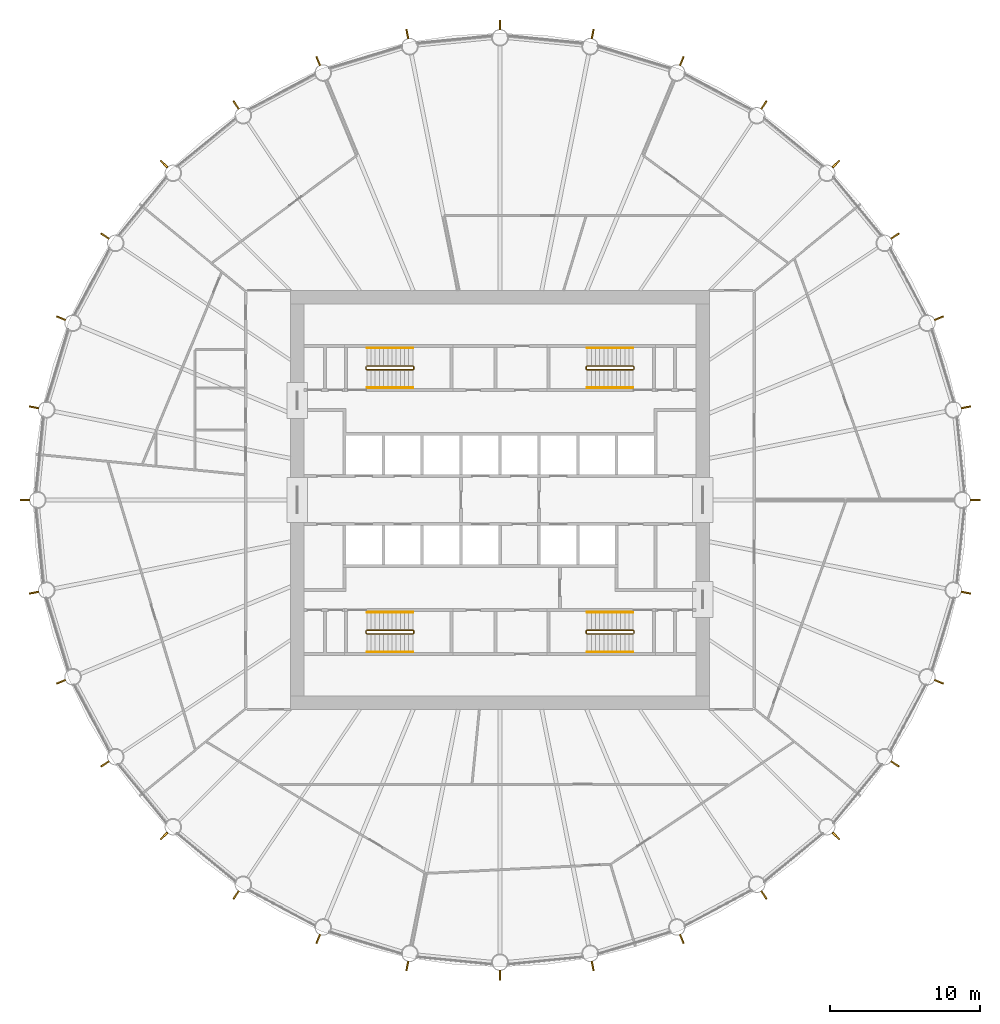
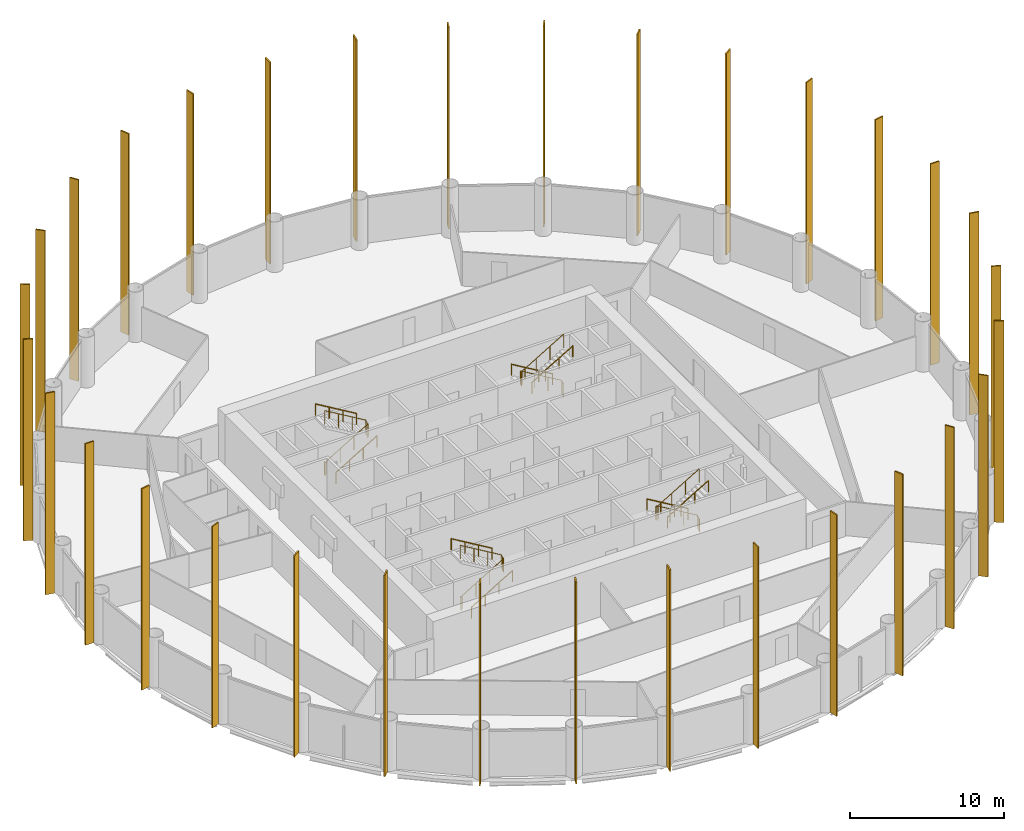
# One storey, part 9 of 9: 32 shading devices, 12 railings.
"""IFC4 building model written with IfcOpenShell, lengths in metres."""

import ifcopenshell
import ifcopenshell.guid

model = None  # the IFC model being written
_history = None  # IfcOwnerHistory: only IFC2X3 demands one
_inside = {}  # id of a spatial element -> (the spatial element, [elements in it])
_under = {}  # id of a project, library or spatial element -> (it, [spatial elements below it])
_declared = {}  # id of a project -> (the project, [libraries it declares])
_typed = {}  # id of a type object -> (the type object, [elements of that type])
_made_of = {}  # id of a material, layer set ... -> (it, [elements and type objects made of it])


def new_model(schema):
    """Start an empty IFC model of exactly this schema.

    Asked for "IFC4X3", IfcOpenShell would pick the latest addendum, in which some entities
    have other attributes; the version numbers below select the first issue.
    IFC2X3 requires an IfcOwnerHistory on every rooted entity: one is made here for all.
    """
    global model, _history
    if schema == "IFC4X3":
        model = ifcopenshell.file(schema_version=(4, 3, 0, 0))
    else:
        model = ifcopenshell.file(schema=schema)
    _inside.clear()
    _under.clear()
    _declared.clear()
    _typed.clear()
    _made_of.clear()
    _history = None
    if model.schema == "IFC2X3":
        org = make("IfcOrganization", Name="unknown")
        user = make(
            "IfcPersonAndOrganization",
            ThePerson=make("IfcPerson", FamilyName="unknown"),
            TheOrganization=org,
        )
        app = make(
            "IfcApplication",
            ApplicationDeveloper=org,
            Version="unknown",
            ApplicationFullName="unknown",
            ApplicationIdentifier="unknown",
        )
        _history = make(
            "IfcOwnerHistory",
            OwningUser=user,
            OwningApplication=app,
            ChangeAction="ADDED",
            CreationDate=0,
        )
    return model


def make(cls, **values):
    """One entity of the class cls with the attributes given. An attribute that is None is left unset."""
    return model.create_entity(
        cls, **{name: value for name, value in values.items() if value is not None}
    )


def rooted(cls, **values):
    """An entity with a GlobalId (a new one), such as an element, a storey or a relation."""
    return make(cls, GlobalId=ifcopenshell.guid.new(), OwnerHistory=_history, **values)


def si_unit(unit_type, name, prefix=None):
    """IfcSIUnit, for example si_unit("LENGTHUNIT", "METRE", prefix="MILLI")."""
    return make("IfcSIUnit", UnitType=unit_type, Prefix=prefix, Name=name)


def assignment(units):
    """IfcUnitAssignment: the units of a project."""
    return None if units is None else make("IfcUnitAssignment", Units=units)


def point(xyz):
    """IfcCartesianPoint."""
    return None if xyz is None else make("IfcCartesianPoint", Coordinates=xyz)


def direction(xyz):
    """IfcDirection."""
    return None if xyz is None else make("IfcDirection", DirectionRatios=xyz)


def frame(location, z_axis=None, x_axis=None):
    """IfcAxis2Placement3D, a coordinate frame: its origin and axes. An axis left out is left unset."""
    return make(
        "IfcAxis2Placement3D",
        Location=point(location),
        Axis=direction(z_axis),
        RefDirection=direction(x_axis),
    )


def frame_2d(location, x_axis=None):
    """IfcAxis2Placement2D, a coordinate frame in the plane: its origin and x axis."""
    return make(
        "IfcAxis2Placement2D", Location=point(location), RefDirection=direction(x_axis)
    )


def origin():
    """The frame at (0, 0, 0) with its axes left unset."""
    return frame((0.0, 0.0, 0.0))


def origin_2d():
    """The frame at (0, 0) in the plane with its x axis left unset."""
    return frame_2d((0.0, 0.0))


def place(relative_to, where):
    """IfcLocalPlacement: puts the frame where relative to a parent placement (None: the world)."""
    return make(
        "IfcLocalPlacement", PlacementRelTo=relative_to, RelativePlacement=where
    )


def context(
    kind, dimensions, precision=None, world=None, true_north=None, identifier=None
):
    """IfcGeometricRepresentationContext, for example the 3D "Model" context."""
    return make(
        "IfcGeometricRepresentationContext",
        ContextIdentifier=identifier,
        ContextType=kind,
        CoordinateSpaceDimension=dimensions,
        Precision=precision,
        WorldCoordinateSystem=world,
        TrueNorth=true_north,
    )


def subcontext(parent, identifier, kind, view, scale=None):
    """IfcGeometricRepresentationSubContext, for example "Body" below "Model"."""
    return make(
        "IfcGeometricRepresentationSubContext",
        ContextIdentifier=identifier,
        ContextType=kind,
        ParentContext=parent,
        TargetScale=scale,
        TargetView=view,
    )


def project(units=None, contexts=None):
    """IfcProject with its units and contexts."""
    return rooted(
        "IfcProject",
        Name="project",
        RepresentationContexts=contexts,
        UnitsInContext=assignment(units),
    )


def spatial(cls, under=None, at=None, **own):
    """A site, building, storey or space (cls), placed at a placement, below another one or the project."""
    s = rooted(cls, ObjectPlacement=at, **own)
    if under is not None:
        _under.setdefault(under.id(), (under, []))[1].append(s)
    return s


def profile(cls, at=None, kind="AREA", **sizes):
    """A parametric profile (cls). Its sizes go by their IFC names, for example OverallWidth=200.0."""
    return make(cls, ProfileType=kind, Position=at, **sizes)


def rectangle(**sizes):
    """IfcRectangleProfileDef."""
    return profile("IfcRectangleProfileDef", **sizes)


def circle(**sizes):
    """IfcCircleProfileDef."""
    return profile("IfcCircleProfileDef", **sizes)


def extrude(swept, where, along, depth):
    """IfcExtrudedAreaSolid: the profile swept, set in the frame where, extruded along a direction by depth."""
    return make(
        "IfcExtrudedAreaSolid",
        SweptArea=swept,
        Position=where,
        ExtrudedDirection=direction(along),
        Depth=depth,
    )


def shape(context_of_items, identifier, shape_type, items):
    """IfcShapeRepresentation: the items that make up one representation, for example the "Body"."""
    return make(
        "IfcShapeRepresentation",
        ContextOfItems=context_of_items,
        RepresentationIdentifier=identifier,
        RepresentationType=shape_type,
        Items=items,
    )


def material(Name=None, Category=None):
    """IfcMaterial."""
    return make("IfcMaterial", Name=Name, Category=Category)


def material_profile(
    of_material, cross_section, Name=None, Category=None, Priority=None
):
    """IfcMaterialProfile: a cross section and its material."""
    return make(
        "IfcMaterialProfile",
        Name=Name,
        Material=of_material,
        Profile=cross_section,
        Priority=Priority,
        Category=Category,
    )


def profile_set(profiles, Name=None, composite=None):
    """IfcMaterialProfileSet."""
    return make(
        "IfcMaterialProfileSet",
        Name=Name,
        MaterialProfiles=profiles,
        CompositeProfile=composite,
    )


def made_of(thing, what):
    """Note that an element or type object is made of a material, layer set ...; save() writes the relation."""
    if what is not None:
        _made_of.setdefault(what.id(), (what, []))[1].append(thing)
    return thing


def type_object(cls, material=None, **own):
    """A type object (cls), such as IfcWallType, which elements share."""
    return made_of(rooted(cls, **own), material)


def element(
    cls,
    number,
    at=None,
    inside=None,
    cuts=None,
    type_object=None,
    material=None,
    context=None,
    identifier="Body",
    shape_type=None,
    held_by="IfcProductDefinitionShape",
    body=None,
    shapes=None,
    **own,
):
    """One element of the class cls, such as IfcWall. Its Tag is "e" and its number.

    at: its placement. inside: the storey or other place that contains it. cuts: it is an
    opening in that element (IfcRelVoidsElement). A single representation is given by context,
    identifier, shape_type and body (its items); several are given by shapes. held_by: the class
    of the entity that holds the representations. save() writes the other relations.
    """
    e = rooted(cls, Tag="e%d" % number, ObjectPlacement=at, **own)
    if body is not None:
        shapes = [shape(context, identifier, shape_type, body)]
    if shapes is not None:
        e.Representation = make(held_by, Representations=shapes)
    if inside is not None:
        _inside.setdefault(inside.id(), (inside, []))[1].append(e)
    if cuts is not None:
        rooted(
            "IfcRelVoidsElement", RelatingBuildingElement=cuts, RelatedOpeningElement=e
        )
    if type_object is not None:
        _typed.setdefault(type_object.id(), (type_object, []))[1].append(e)
    return made_of(e, material)


def aggregate(whole, parts):
    """IfcRelAggregates: a whole, such as a stair, and the parts it consists of."""
    return rooted("IfcRelAggregates", RelatingObject=whole, RelatedObjects=parts)


def save(model, path):
    """Write the relations noted so far, then the file.

    IfcRelAggregates (storeys below a building ...), IfcRelContainedInSpatialStructure (elements
    in a storey), IfcRelDefinesByType, IfcRelAssociatesMaterial and IfcRelDeclares: one each for
    every whole, place, type object, material and project.
    """
    for whole, parts in _under.values():
        aggregate(whole, parts)
    for where, things in _inside.values():
        rooted(
            "IfcRelContainedInSpatialStructure",
            RelatedElements=things,
            RelatingStructure=where,
        )
    for kind, things in _typed.values():
        rooted("IfcRelDefinesByType", RelatedObjects=things, RelatingType=kind)
    for what, things in _made_of.values():
        rooted("IfcRelAssociatesMaterial", RelatedObjects=things, RelatingMaterial=what)
    for by, libraries in _declared.values():
        rooted("IfcRelDeclares", RelatingContext=by, RelatedDefinitions=libraries)
    model.write(path)


model = new_model("IFC4")

# Units and contexts
model_context = context("Model", 3, precision=1e-05, world=origin(), true_north=direction((0.0, 1.0)))
body_context = subcontext(model_context, "Body", "Model", "MODEL_VIEW")
ifc_project = project(units=[si_unit("LENGTHUNIT", "METRE"), si_unit("AREAUNIT", "SQUARE_METRE"), si_unit("VOLUMEUNIT", "CUBIC_METRE"), si_unit("PLANEANGLEUNIT", "RADIAN"), si_unit("MASSUNIT", "GRAM", prefix="KILO")], contexts=[model_context])

# Site, building, storey
site_placement = place(None, origin())
site = spatial("IfcSite", under=ifc_project, at=site_placement, CompositionType="ELEMENT")
building_placement = place(site_placement, origin())
building = spatial("IfcBuilding", under=site, at=building_placement, Name="Corvane Civic Tower", CompositionType="ELEMENT")
storey_placement = place(building_placement, frame((0.0, 0.0, 160.0)))
storey = spatial("IfcBuildingStorey", under=building, at=storey_placement, Name="L37", CompositionType="ELEMENT", Elevation=160.0)

# Railings
ifc_material_1 = material(Name="Steel ASTM A572 Gr 50", Category="steel")
railing_type_1 = type_object("IfcRailingType", Name="ST-GUARD-1100", PredefinedType="GUARDRAIL", material=ifc_material_1)
railing_1_placement = place(storey_placement, frame((8.949951171875, 8.75, 0.0)))
element("IfcRailing", 1, at=railing_1_placement, inside=storey, type_object=railing_type_1, Name="L37 ST1 stair guard 1", PredefinedType="GUARDRAIL", context=body_context, shape_type="SweptSolid", body=[
    extrude(circle(Radius=0.02392578125, at=origin_2d()), frame((0.0, 0.0, 1.076171875), z_axis=(0.0, 1.0, 0.0), x_axis=(-1.0, 0.0, 0.0)), (0.0, 0.0, 1.0), 0.14990234375),
    extrude(circle(Radius=0.02392578125, at=origin_2d()), frame((0.0, 0.14990234375, 1.076171875), z_axis=(-0.27628659633, 0.27628659633, 0.920506074601), x_axis=(-0.707106781187, -0.707106781187, 0.0)), (0.0, 0.0, 1.0), 0.18115234375),
    extrude(circle(Radius=0.02392578125, at=origin_2d()), frame((-0.050048828125, 0.199951171875, 1.24267578125), z_axis=(-0.859290745958, 0.0, 0.51148745235), x_axis=(0.0, -1.0, 0.0)), (0.0, 0.0, 1.0), 3.584228515625),
    extrude(circle(Radius=0.02392578125, at=origin_2d()), frame((-3.1298828125, 0.199951171875, 3.076171875), z_axis=(-0.707106781187, -0.707106781187, 0.0), x_axis=(0.707106781187, -0.707106781187, 0.0)), (0.0, 0.0, 1.0), 0.07080078125),
    extrude(circle(Radius=0.02392578125, at=origin_2d()), frame((-3.179931640625, 0.14990234375, 3.076171875), z_axis=(0.0, -1.0, 0.0), x_axis=(1.0, 0.0, 0.0)), (0.0, 0.0, 1.0), 0.14990234375),
    extrude(circle(Radius=0.02392578125, at=origin_2d()), frame((-3.179931640625, 0.0, 3.076171875), z_axis=(0.27628659633, -0.27628659633, 0.920506074601), x_axis=(0.707106781187, 0.707106781187, 0.0)), (0.0, 0.0, 1.0), 0.18115234375),
    extrude(circle(Radius=0.02392578125, at=origin_2d()), frame((-3.1298828125, -0.050048828125, 3.24267578125), z_axis=(0.859290745958, 0.0, 0.51148745235), x_axis=(0.0, 1.0, 0.0)), (0.0, 0.0, 1.0), 3.584228515625),
    extrude(circle(Radius=0.02099609375, at=origin_2d()), origin(), (0.0, 0.0, 1.0), 1.052001953125),
    extrude(circle(Radius=0.02099609375, at=origin_2d()), frame((0.0, 0.14990234375, 0.0)), (0.0, 0.0, 1.0), 1.052001953125),
    extrude(circle(Radius=0.02099609375, at=origin_2d()), frame((-0.050048828125, 0.199951171875, 0.166748046875)), (0.0, 0.0, 1.0), 1.052001953125),
    extrude(circle(Radius=0.02099609375, at=origin_2d()), frame((-1.07666015625, 0.199951171875, 0.77783203125)), (0.0, 0.0, 1.0), 1.052001953125),
    extrude(circle(Radius=0.02099609375, at=origin_2d()), frame((-2.103271484375, 0.199951171875, 1.388916015625)), (0.0, 0.0, 1.0), 1.052001953125),
    extrude(circle(Radius=0.02099609375, at=origin_2d()), frame((-3.1298828125, 0.199951171875, 2.0)), (0.0, 0.0, 1.0), 1.052001953125),
    extrude(circle(Radius=0.02099609375, at=origin_2d()), frame((-3.179931640625, 0.14990234375, 2.0)), (0.0, 0.0, 1.0), 1.052001953125),
    extrude(circle(Radius=0.02099609375, at=origin_2d()), frame((-3.179931640625, 0.0, 2.0)), (0.0, 0.0, 1.0), 1.052001953125),
    extrude(circle(Radius=0.02099609375, at=origin_2d()), frame((-3.1298828125, -0.050048828125, 2.166748046875)), (0.0, 0.0, 1.0), 1.052001953125),
    extrude(circle(Radius=0.02099609375, at=origin_2d()), frame((-2.103271484375, -0.050048828125, 2.77783203125)), (0.0, 0.0, 1.0), 1.052001953125),
    extrude(circle(Radius=0.02099609375, at=origin_2d()), frame((-1.07666015625, -0.050048828125, 3.388916015625)), (0.0, 0.0, 1.0), 1.052001953125),
    extrude(circle(Radius=0.02099609375, at=origin_2d()), frame((-0.050048828125, -0.050048828125, 4.0)), (0.0, 0.0, 1.0), 1.052001953125),
])
railing_2_placement = place(storey_placement, frame((8.949951171875, -8.89990234375, 0.0)))
element("IfcRailing", 2, at=railing_2_placement, inside=storey, type_object=railing_type_1, Name="L37 ST2 stair guard 1", PredefinedType="GUARDRAIL", context=body_context, shape_type="SweptSolid", body=[
    extrude(circle(Radius=0.02392578125, at=origin_2d()), frame((0.0, 0.0, 1.076171875), z_axis=(0.0, 1.0, 0.0), x_axis=(-1.0, 0.0, 0.0)), (0.0, 0.0, 1.0), 0.14990234375),
    extrude(circle(Radius=0.02392578125, at=origin_2d()), frame((0.0, 0.14990234375, 1.076171875), z_axis=(-0.27628659633, 0.27628659633, 0.920506074601), x_axis=(-0.707106781187, -0.707106781187, 0.0)), (0.0, 0.0, 1.0), 0.18115234375),
    extrude(circle(Radius=0.02392578125, at=origin_2d()), frame((-0.050048828125, 0.199951171875, 1.24267578125), z_axis=(-0.859290745958, 0.0, 0.51148745235), x_axis=(0.0, -1.0, 0.0)), (0.0, 0.0, 1.0), 3.584228515625),
    extrude(circle(Radius=0.02392578125, at=origin_2d()), frame((-3.1298828125, 0.199951171875, 3.076171875), z_axis=(-0.707106781187, -0.707106781187, 0.0), x_axis=(0.707106781187, -0.707106781187, 0.0)), (0.0, 0.0, 1.0), 0.07080078125),
    extrude(circle(Radius=0.02392578125, at=origin_2d()), frame((-3.179931640625, 0.14990234375, 3.076171875), z_axis=(0.0, -1.0, 0.0), x_axis=(1.0, 0.0, 0.0)), (0.0, 0.0, 1.0), 0.14990234375),
    extrude(circle(Radius=0.02392578125, at=origin_2d()), frame((-3.179931640625, 0.0, 3.076171875), z_axis=(0.27628659633, -0.27628659633, 0.920506074601), x_axis=(0.707106781187, 0.707106781187, 0.0)), (0.0, 0.0, 1.0), 0.18115234375),
    extrude(circle(Radius=0.02392578125, at=origin_2d()), frame((-3.1298828125, -0.050048828125, 3.24267578125), z_axis=(0.859290745958, 0.0, 0.51148745235), x_axis=(0.0, 1.0, 0.0)), (0.0, 0.0, 1.0), 3.584228515625),
    extrude(circle(Radius=0.02099609375, at=origin_2d()), origin(), (0.0, 0.0, 1.0), 1.052001953125),
    extrude(circle(Radius=0.02099609375, at=origin_2d()), frame((0.0, 0.14990234375, 0.0)), (0.0, 0.0, 1.0), 1.052001953125),
    extrude(circle(Radius=0.02099609375, at=origin_2d()), frame((-0.050048828125, 0.199951171875, 0.166748046875)), (0.0, 0.0, 1.0), 1.052001953125),
    extrude(circle(Radius=0.02099609375, at=origin_2d()), frame((-1.07666015625, 0.199951171875, 0.77783203125)), (0.0, 0.0, 1.0), 1.052001953125),
    extrude(circle(Radius=0.02099609375, at=origin_2d()), frame((-2.103271484375, 0.199951171875, 1.388916015625)), (0.0, 0.0, 1.0), 1.052001953125),
    extrude(circle(Radius=0.02099609375, at=origin_2d()), frame((-3.1298828125, 0.199951171875, 2.0)), (0.0, 0.0, 1.0), 1.052001953125),
    extrude(circle(Radius=0.02099609375, at=origin_2d()), frame((-3.179931640625, 0.14990234375, 2.0)), (0.0, 0.0, 1.0), 1.052001953125),
    extrude(circle(Radius=0.02099609375, at=origin_2d()), frame((-3.179931640625, 0.0, 2.0)), (0.0, 0.0, 1.0), 1.052001953125),
    extrude(circle(Radius=0.02099609375, at=origin_2d()), frame((-3.1298828125, -0.050048828125, 2.166748046875)), (0.0, 0.0, 1.0), 1.052001953125),
    extrude(circle(Radius=0.02099609375, at=origin_2d()), frame((-2.103271484375, -0.050048828125, 2.77783203125)), (0.0, 0.0, 1.0), 1.052001953125),
    extrude(circle(Radius=0.02099609375, at=origin_2d()), frame((-1.07666015625, -0.050048828125, 3.388916015625)), (0.0, 0.0, 1.0), 1.052001953125),
    extrude(circle(Radius=0.02099609375, at=origin_2d()), frame((-0.050048828125, -0.050048828125, 4.0)), (0.0, 0.0, 1.0), 1.052001953125),
])
railing_3_placement = place(storey_placement, frame((-8.949951171875, -8.75, 0.0)))
element("IfcRailing", 3, at=railing_3_placement, inside=storey, type_object=railing_type_1, Name="L37 ST3 stair guard 1", PredefinedType="GUARDRAIL", context=body_context, shape_type="SweptSolid", body=[
    extrude(circle(Radius=0.02392578125, at=origin_2d()), frame((0.0, 0.0, 1.076171875), z_axis=(0.0, -1.0, 0.0), x_axis=(1.0, 0.0, 0.0)), (0.0, 0.0, 1.0), 0.14990234375),
    extrude(circle(Radius=0.02392578125, at=origin_2d()), frame((0.0, -0.14990234375, 1.076171875), z_axis=(0.27628659633, -0.27628659633, 0.920506074601), x_axis=(0.707106781187, 0.707106781187, 0.0)), (0.0, 0.0, 1.0), 0.18115234375),
    extrude(circle(Radius=0.02392578125, at=origin_2d()), frame((0.050048828125, -0.199951171875, 1.24267578125), z_axis=(0.859290745958, 0.0, 0.51148745235), x_axis=(0.0, 1.0, 0.0)), (0.0, 0.0, 1.0), 3.584228515625),
    extrude(circle(Radius=0.02392578125, at=origin_2d()), frame((3.1298828125, -0.199951171875, 3.076171875), z_axis=(0.707106781187, 0.707106781187, 0.0), x_axis=(-0.707106781187, 0.707106781187, 0.0)), (0.0, 0.0, 1.0), 0.07080078125),
    extrude(circle(Radius=0.02392578125, at=origin_2d()), frame((3.179931640625, -0.14990234375, 3.076171875), z_axis=(0.0, 1.0, 0.0), x_axis=(-1.0, 0.0, 0.0)), (0.0, 0.0, 1.0), 0.14990234375),
    extrude(circle(Radius=0.02392578125, at=origin_2d()), frame((3.179931640625, 0.0, 3.076171875), z_axis=(-0.27628659633, 0.27628659633, 0.920506074601), x_axis=(-0.707106781187, -0.707106781187, 0.0)), (0.0, 0.0, 1.0), 0.18115234375),
    extrude(circle(Radius=0.02392578125, at=origin_2d()), frame((3.1298828125, 0.050048828125, 3.24267578125), z_axis=(-0.859290745958, 0.0, 0.51148745235), x_axis=(0.0, -1.0, 0.0)), (0.0, 0.0, 1.0), 3.584228515625),
    extrude(circle(Radius=0.02099609375, at=origin_2d()), origin(), (0.0, 0.0, 1.0), 1.052001953125),
    extrude(circle(Radius=0.02099609375, at=origin_2d()), frame((0.0, -0.14990234375, 0.0)), (0.0, 0.0, 1.0), 1.052001953125),
    extrude(circle(Radius=0.02099609375, at=origin_2d()), frame((0.050048828125, -0.199951171875, 0.166748046875)), (0.0, 0.0, 1.0), 1.052001953125),
    extrude(circle(Radius=0.02099609375, at=origin_2d()), frame((1.07666015625, -0.199951171875, 0.77783203125)), (0.0, 0.0, 1.0), 1.052001953125),
    extrude(circle(Radius=0.02099609375, at=origin_2d()), frame((2.103271484375, -0.199951171875, 1.388916015625)), (0.0, 0.0, 1.0), 1.052001953125),
    extrude(circle(Radius=0.02099609375, at=origin_2d()), frame((3.1298828125, -0.199951171875, 2.0)), (0.0, 0.0, 1.0), 1.052001953125),
    extrude(circle(Radius=0.02099609375, at=origin_2d()), frame((3.179931640625, -0.14990234375, 2.0)), (0.0, 0.0, 1.0), 1.052001953125),
    extrude(circle(Radius=0.02099609375, at=origin_2d()), frame((3.179931640625, 0.0, 2.0)), (0.0, 0.0, 1.0), 1.052001953125),
    extrude(circle(Radius=0.02099609375, at=origin_2d()), frame((3.1298828125, 0.050048828125, 2.166748046875)), (0.0, 0.0, 1.0), 1.052001953125),
    extrude(circle(Radius=0.02099609375, at=origin_2d()), frame((2.103271484375, 0.050048828125, 2.77783203125)), (0.0, 0.0, 1.0), 1.052001953125),
    extrude(circle(Radius=0.02099609375, at=origin_2d()), frame((1.07666015625, 0.050048828125, 3.388916015625)), (0.0, 0.0, 1.0), 1.052001953125),
    extrude(circle(Radius=0.02099609375, at=origin_2d()), frame((0.050048828125, 0.050048828125, 4.0)), (0.0, 0.0, 1.0), 1.052001953125),
])
railing_4_placement = place(storey_placement, frame((-8.949951171875, 8.89990234375, 0.0)))
element("IfcRailing", 4, at=railing_4_placement, inside=storey, type_object=railing_type_1, Name="L37 ST4 stair guard 1", PredefinedType="GUARDRAIL", context=body_context, shape_type="SweptSolid", body=[
    extrude(circle(Radius=0.02392578125, at=origin_2d()), frame((0.0, 0.0, 1.076171875), z_axis=(0.0, -1.0, 0.0), x_axis=(1.0, 0.0, 0.0)), (0.0, 0.0, 1.0), 0.14990234375),
    extrude(circle(Radius=0.02392578125, at=origin_2d()), frame((0.0, -0.14990234375, 1.076171875), z_axis=(0.27628659633, -0.27628659633, 0.920506074601), x_axis=(0.707106781187, 0.707106781187, 0.0)), (0.0, 0.0, 1.0), 0.18115234375),
    extrude(circle(Radius=0.02392578125, at=origin_2d()), frame((0.050048828125, -0.199951171875, 1.24267578125), z_axis=(0.859290745958, 0.0, 0.51148745235), x_axis=(0.0, 1.0, 0.0)), (0.0, 0.0, 1.0), 3.584228515625),
    extrude(circle(Radius=0.02392578125, at=origin_2d()), frame((3.1298828125, -0.199951171875, 3.076171875), z_axis=(0.707106781187, 0.707106781187, 0.0), x_axis=(-0.707106781187, 0.707106781187, 0.0)), (0.0, 0.0, 1.0), 0.07080078125),
    extrude(circle(Radius=0.02392578125, at=origin_2d()), frame((3.179931640625, -0.14990234375, 3.076171875), z_axis=(0.0, 1.0, 0.0), x_axis=(-1.0, 0.0, 0.0)), (0.0, 0.0, 1.0), 0.14990234375),
    extrude(circle(Radius=0.02392578125, at=origin_2d()), frame((3.179931640625, 0.0, 3.076171875), z_axis=(-0.27628659633, 0.27628659633, 0.920506074601), x_axis=(-0.707106781187, -0.707106781187, 0.0)), (0.0, 0.0, 1.0), 0.18115234375),
    extrude(circle(Radius=0.02392578125, at=origin_2d()), frame((3.1298828125, 0.050048828125, 3.24267578125), z_axis=(-0.859290745958, 0.0, 0.51148745235), x_axis=(0.0, -1.0, 0.0)), (0.0, 0.0, 1.0), 3.584228515625),
    extrude(circle(Radius=0.02099609375, at=origin_2d()), origin(), (0.0, 0.0, 1.0), 1.052001953125),
    extrude(circle(Radius=0.02099609375, at=origin_2d()), frame((0.0, -0.14990234375, 0.0)), (0.0, 0.0, 1.0), 1.052001953125),
    extrude(circle(Radius=0.02099609375, at=origin_2d()), frame((0.050048828125, -0.199951171875, 0.166748046875)), (0.0, 0.0, 1.0), 1.052001953125),
    extrude(circle(Radius=0.02099609375, at=origin_2d()), frame((1.07666015625, -0.199951171875, 0.77783203125)), (0.0, 0.0, 1.0), 1.052001953125),
    extrude(circle(Radius=0.02099609375, at=origin_2d()), frame((2.103271484375, -0.199951171875, 1.388916015625)), (0.0, 0.0, 1.0), 1.052001953125),
    extrude(circle(Radius=0.02099609375, at=origin_2d()), frame((3.1298828125, -0.199951171875, 2.0)), (0.0, 0.0, 1.0), 1.052001953125),
    extrude(circle(Radius=0.02099609375, at=origin_2d()), frame((3.179931640625, -0.14990234375, 2.0)), (0.0, 0.0, 1.0), 1.052001953125),
    extrude(circle(Radius=0.02099609375, at=origin_2d()), frame((3.179931640625, 0.0, 2.0)), (0.0, 0.0, 1.0), 1.052001953125),
    extrude(circle(Radius=0.02099609375, at=origin_2d()), frame((3.1298828125, 0.050048828125, 2.166748046875)), (0.0, 0.0, 1.0), 1.052001953125),
    extrude(circle(Radius=0.02099609375, at=origin_2d()), frame((2.103271484375, 0.050048828125, 2.77783203125)), (0.0, 0.0, 1.0), 1.052001953125),
    extrude(circle(Radius=0.02099609375, at=origin_2d()), frame((1.07666015625, 0.050048828125, 3.388916015625)), (0.0, 0.0, 1.0), 1.052001953125),
    extrude(circle(Radius=0.02099609375, at=origin_2d()), frame((0.050048828125, 0.050048828125, 4.0)), (0.0, 0.0, 1.0), 1.052001953125),
])
ifc_material_2 = material(Name="Steel ASTM A572 Gr 50", Category="steel")
railing_type_2 = type_object("IfcRailingType", Name="ST-HANDRAIL-900", PredefinedType="HANDRAIL", material=ifc_material_2)
railing_5_placement = place(storey_placement, frame((8.89990234375, 10.14990234375, 0.166748046875)))
element("IfcRailing", 5, at=railing_5_placement, inside=storey, type_object=railing_type_2, Name="L37 ST1 stair handrail 1", PredefinedType="HANDRAIL", context=body_context, shape_type="SweptSolid", body=[
    extrude(circle(Radius=0.02392578125, at=origin_2d()), frame((0.0, 0.0, 0.8759765625), z_axis=(-0.859290745958, 0.0, 0.51148745235), x_axis=(0.0, -1.0, 0.0)), (0.0, 0.0, 1.0), 3.584228515625),
    extrude(circle(Radius=0.02099609375, at=origin_2d()), origin(), (0.0, 0.0, 1.0), 0.851806640625),
    extrude(circle(Radius=0.02099609375, at=origin_2d()), frame((-1.026611328125, 0.0, 0.611083984375)), (0.0, 0.0, 1.0), 0.851806640625),
    extrude(circle(Radius=0.02099609375, at=origin_2d()), frame((-2.05322265625, 0.0, 1.22216796875)), (0.0, 0.0, 1.0), 0.851806640625),
    extrude(circle(Radius=0.02099609375, at=origin_2d()), frame((-3.079833984375, 0.0, 1.833251953125)), (0.0, 0.0, 1.0), 0.851806640625),
])
railing_6_placement = place(storey_placement, frame((5.820068359375, 7.5, 2.166748046875)))
element("IfcRailing", 6, at=railing_6_placement, inside=storey, type_object=railing_type_2, Name="L37 ST1 stair handrail 2", PredefinedType="HANDRAIL", context=body_context, shape_type="SweptSolid", body=[
    extrude(circle(Radius=0.02392578125, at=origin_2d()), frame((0.0, 0.0, 0.8759765625), z_axis=(0.859290745958, 0.0, 0.51148745235), x_axis=(0.0, 1.0, 0.0)), (0.0, 0.0, 1.0), 3.584228515625),
    extrude(circle(Radius=0.02099609375, at=origin_2d()), origin(), (0.0, 0.0, 1.0), 0.851806640625),
    extrude(circle(Radius=0.02099609375, at=origin_2d()), frame((1.026611328125, 0.0, 0.611083984375)), (0.0, 0.0, 1.0), 0.851806640625),
    extrude(circle(Radius=0.02099609375, at=origin_2d()), frame((2.05322265625, 0.0, 1.22216796875)), (0.0, 0.0, 1.0), 0.851806640625),
    extrude(circle(Radius=0.02099609375, at=origin_2d()), frame((3.079833984375, 0.0, 1.833251953125)), (0.0, 0.0, 1.0), 0.851806640625),
])
railing_7_placement = place(storey_placement, frame((8.89990234375, -7.5, 0.166748046875)))
element("IfcRailing", 7, at=railing_7_placement, inside=storey, type_object=railing_type_2, Name="L37 ST2 stair handrail 1", PredefinedType="HANDRAIL", context=body_context, shape_type="SweptSolid", body=[
    extrude(circle(Radius=0.02392578125, at=origin_2d()), frame((0.0, 0.0, 0.8759765625), z_axis=(-0.859290745958, 0.0, 0.51148745235), x_axis=(0.0, -1.0, 0.0)), (0.0, 0.0, 1.0), 3.584228515625),
    extrude(circle(Radius=0.02099609375, at=origin_2d()), origin(), (0.0, 0.0, 1.0), 0.851806640625),
    extrude(circle(Radius=0.02099609375, at=origin_2d()), frame((-1.026611328125, 0.0, 0.611083984375)), (0.0, 0.0, 1.0), 0.851806640625),
    extrude(circle(Radius=0.02099609375, at=origin_2d()), frame((-2.05322265625, 0.0, 1.22216796875)), (0.0, 0.0, 1.0), 0.851806640625),
    extrude(circle(Radius=0.02099609375, at=origin_2d()), frame((-3.079833984375, 0.0, 1.833251953125)), (0.0, 0.0, 1.0), 0.851806640625),
])
for number, where, name in (
    (8, (5.820068359375, -10.14990234375, 2.166748046875), "L37 ST2 stair handrail 2"),
    (9, (-8.89990234375, -10.14990234375, 0.166748046875), "L37 ST3 stair handrail 1"),
):
    element("IfcRailing", number, at=place(storey_placement, frame(where)), inside=storey, type_object=railing_type_2, Name=name, PredefinedType="HANDRAIL", context=body_context, shape_type="SweptSolid", body=[
        extrude(circle(Radius=0.02392578125, at=origin_2d()), frame((0.0, 0.0, 0.8759765625), z_axis=(0.859290745958, 0.0, 0.51148745235), x_axis=(0.0, 1.0, 0.0)), (0.0, 0.0, 1.0), 3.584228515625),
        extrude(circle(Radius=0.02099609375, at=origin_2d()), origin(), (0.0, 0.0, 1.0), 0.851806640625),
        extrude(circle(Radius=0.02099609375, at=origin_2d()), frame((1.026611328125, 0.0, 0.611083984375)), (0.0, 0.0, 1.0), 0.851806640625),
        extrude(circle(Radius=0.02099609375, at=origin_2d()), frame((2.05322265625, 0.0, 1.22216796875)), (0.0, 0.0, 1.0), 0.851806640625),
        extrude(circle(Radius=0.02099609375, at=origin_2d()), frame((3.079833984375, 0.0, 1.833251953125)), (0.0, 0.0, 1.0), 0.851806640625),
    ])
railing_8_placement = place(storey_placement, frame((-5.820068359375, -7.5, 2.166748046875)))
element("IfcRailing", 10, at=railing_8_placement, inside=storey, type_object=railing_type_2, Name="L37 ST3 stair handrail 2", PredefinedType="HANDRAIL", context=body_context, shape_type="SweptSolid", body=[
    extrude(circle(Radius=0.02392578125, at=origin_2d()), frame((0.0, 0.0, 0.8759765625), z_axis=(-0.859290745958, 0.0, 0.51148745235), x_axis=(0.0, -1.0, 0.0)), (0.0, 0.0, 1.0), 3.584228515625),
    extrude(circle(Radius=0.02099609375, at=origin_2d()), origin(), (0.0, 0.0, 1.0), 0.851806640625),
    extrude(circle(Radius=0.02099609375, at=origin_2d()), frame((-1.026611328125, 0.0, 0.611083984375)), (0.0, 0.0, 1.0), 0.851806640625),
    extrude(circle(Radius=0.02099609375, at=origin_2d()), frame((-2.05322265625, 0.0, 1.22216796875)), (0.0, 0.0, 1.0), 0.851806640625),
    extrude(circle(Radius=0.02099609375, at=origin_2d()), frame((-3.079833984375, 0.0, 1.833251953125)), (0.0, 0.0, 1.0), 0.851806640625),
])
railing_9_placement = place(storey_placement, frame((-8.89990234375, 7.5, 0.166748046875)))
element("IfcRailing", 11, at=railing_9_placement, inside=storey, type_object=railing_type_2, Name="L37 ST4 stair handrail 1", PredefinedType="HANDRAIL", context=body_context, shape_type="SweptSolid", body=[
    extrude(circle(Radius=0.02392578125, at=origin_2d()), frame((0.0, 0.0, 0.8759765625), z_axis=(0.859290745958, 0.0, 0.51148745235), x_axis=(0.0, 1.0, 0.0)), (0.0, 0.0, 1.0), 3.584228515625),
    extrude(circle(Radius=0.02099609375, at=origin_2d()), origin(), (0.0, 0.0, 1.0), 0.851806640625),
    extrude(circle(Radius=0.02099609375, at=origin_2d()), frame((1.026611328125, 0.0, 0.611083984375)), (0.0, 0.0, 1.0), 0.851806640625),
    extrude(circle(Radius=0.02099609375, at=origin_2d()), frame((2.05322265625, 0.0, 1.22216796875)), (0.0, 0.0, 1.0), 0.851806640625),
    extrude(circle(Radius=0.02099609375, at=origin_2d()), frame((3.079833984375, 0.0, 1.833251953125)), (0.0, 0.0, 1.0), 0.851806640625),
])
railing_10_placement = place(storey_placement, frame((-5.820068359375, 10.14990234375, 2.166748046875)))
element("IfcRailing", 12, at=railing_10_placement, inside=storey, type_object=railing_type_2, Name="L37 ST4 stair handrail 2", PredefinedType="HANDRAIL", context=body_context, shape_type="SweptSolid", body=[
    extrude(circle(Radius=0.02392578125, at=origin_2d()), frame((0.0, 0.0, 0.8759765625), z_axis=(-0.859290745958, 0.0, 0.51148745235), x_axis=(0.0, -1.0, 0.0)), (0.0, 0.0, 1.0), 3.584228515625),
    extrude(circle(Radius=0.02099609375, at=origin_2d()), origin(), (0.0, 0.0, 1.0), 0.851806640625),
    extrude(circle(Radius=0.02099609375, at=origin_2d()), frame((-1.026611328125, 0.0, 0.611083984375)), (0.0, 0.0, 1.0), 0.851806640625),
    extrude(circle(Radius=0.02099609375, at=origin_2d()), frame((-2.05322265625, 0.0, 1.22216796875)), (0.0, 0.0, 1.0), 0.851806640625),
    extrude(circle(Radius=0.02099609375, at=origin_2d()), frame((-3.079833984375, 0.0, 1.833251953125)), (0.0, 0.0, 1.0), 0.851806640625),
])

# Shading devices
ifc_material_3 = material(Name="Anodised aluminium bronze", Category="aluminium")
ifc_material_profile = material_profile(ifc_material_3, rectangle(XDim=0.10009765625, YDim=0.64990234375, at=origin_2d()), Name="TOWER FIN STACK 100x650 BRONZE")
ifc_profile_set = profile_set([ifc_material_profile], Name="Anodised aluminium bronze")
shading_device_type = type_object("IfcShadingDeviceType", Name="TOWER FIN STACK 100x650 BRONZE", PredefinedType="USERDEFINED", material=ifc_profile_set)
for number, where, z_axis, x_axis, name in (
    (13, (0.0, 31.7548828125, 0.0), (0.0, 0.0, 1.0), (1.0, 0.0, 0.0), "Fin 01 L37 to L40"),
    (14, (6.195068359375, 31.144775390625, 0.0), (0.0, 0.0, 1.0), (0.980785280403, -0.195090322016, 0.0), "Fin 02 L37 to L40"),
    (15, (12.152099609375, 29.337890625, 0.0), (0.0, 0.0, 1.0), (0.923879532511, -0.382683432365, 0.0), "Fin 03 L37 to L40"),
    (16, (17.64208984375, 26.4033203125, 0.0), (0.0, 0.0, 1.0), (0.831469612303, -0.55557023302, 0.0), "Fin 04 L37 to L40"),
    (17, (22.4541015625, 22.4541015625, 0.0), (0.0, 0.0, 1.0), (0.707106781187, -0.707106781187, 0.0), "Fin 05 L37 to L40"),
    (18, (26.4033203125, 17.64208984375, 0.0), (0.0, 0.0, 1.0), (0.55557023302, -0.831469612303, 0.0), "Fin 06 L37 to L40"),
    (19, (29.337890625, 12.152099609375, 0.0), (0.0, 0.0, 1.0), (0.382683432365, -0.923879532511, 0.0), "Fin 07 L37 to L40"),
    (20, (31.144775390625, 6.195068359375, 0.0), (0.0, 0.0, 1.0), (0.195090322016, -0.980785280403, 0.0), "Fin 08 L37 to L40"),
    (21, (31.7548828125, 0.0, 0.0), (0.0, 0.0, 1.0), (0.0, -1.0, 0.0), "Fin 09 L37 to L40"),
    (22, (31.144775390625, -6.195068359375, 0.0), (0.0, 0.0, 1.0), (-0.195090322016, -0.980785280403, 0.0), "Fin 10 L37 to L40"),
    (23, (29.337890625, -12.152099609375, 0.0), (0.0, 0.0, 1.0), (-0.382683432365, -0.923879532511, 0.0), "Fin 11 L37 to L40"),
    (24, (26.4033203125, -17.64208984375, 0.0), (0.0, 0.0, 1.0), (-0.55557023302, -0.831469612303, 0.0), "Fin 12 L37 to L40"),
    (25, (22.4541015625, -22.4541015625, 0.0), (0.0, 0.0, 1.0), (-0.707106781187, -0.707106781187, 0.0), "Fin 13 L37 to L40"),
    (26, (17.64208984375, -26.4033203125, 0.0), (0.0, 0.0, 1.0), (-0.831469612303, -0.55557023302, 0.0), "Fin 14 L37 to L40"),
    (27, (12.152099609375, -29.337890625, 0.0), (0.0, 0.0, 1.0), (-0.923879532511, -0.382683432365, 0.0), "Fin 15 L37 to L40"),
    (28, (6.195068359375, -31.144775390625, 0.0), (0.0, 0.0, 1.0), (-0.980785280403, -0.195090322016, 0.0), "Fin 16 L37 to L40"),
    (29, (0.0, -31.7548828125, 0.0), (0.0, 0.0, 1.0), (-1.0, 0.0, 0.0), "Fin 17 L37 to L40"),
    (30, (-6.195068359375, -31.144775390625, 0.0), (0.0, 0.0, 1.0), (-0.980785280403, 0.195090322016, 0.0), "Fin 18 L37 to L40"),
    (31, (-12.152099609375, -29.337890625, 0.0), (0.0, 0.0, 1.0), (-0.923879532511, 0.382683432365, 0.0), "Fin 19 L37 to L40"),
    (32, (-17.64208984375, -26.4033203125, 0.0), (0.0, 0.0, 1.0), (-0.831469612303, 0.55557023302, 0.0), "Fin 20 L37 to L40"),
    (33, (-22.4541015625, -22.4541015625, 0.0), (0.0, 0.0, 1.0), (-0.707106781187, 0.707106781187, 0.0), "Fin 21 L37 to L40"),
    (34, (-26.4033203125, -17.64208984375, 0.0), (0.0, 0.0, 1.0), (-0.55557023302, 0.831469612303, 0.0), "Fin 22 L37 to L40"),
    (35, (-29.337890625, -12.152099609375, 0.0), (0.0, 0.0, 1.0), (-0.382683432365, 0.923879532511, 0.0), "Fin 23 L37 to L40"),
    (36, (-31.144775390625, -6.195068359375, 0.0), (0.0, 0.0, 1.0), (-0.195090322016, 0.980785280403, 0.0), "Fin 24 L37 to L40"),
    (37, (-31.7548828125, 0.0, 0.0), (0.0, 0.0, 1.0), (0.0, 1.0, 0.0), "Fin 25 L37 to L40"),
    (38, (-31.144775390625, 6.195068359375, 0.0), (0.0, 0.0, 1.0), (0.195090322016, 0.980785280403, 0.0), "Fin 26 L37 to L40"),
    (39, (-29.337890625, 12.152099609375, 0.0), (0.0, 0.0, 1.0), (0.382683432365, 0.923879532511, 0.0), "Fin 27 L37 to L40"),
    (40, (-26.4033203125, 17.64208984375, 0.0), (0.0, 0.0, 1.0), (0.55557023302, 0.831469612303, 0.0), "Fin 28 L37 to L40"),
    (41, (-22.4541015625, 22.4541015625, 0.0), (0.0, 0.0, 1.0), (0.707106781187, 0.707106781187, 0.0), "Fin 29 L37 to L40"),
    (42, (-17.64208984375, 26.4033203125, 0.0), (0.0, 0.0, 1.0), (0.831469612303, 0.55557023302, 0.0), "Fin 30 L37 to L40"),
    (43, (-12.152099609375, 29.337890625, 0.0), (0.0, 0.0, 1.0), (0.923879532511, 0.382683432365, 0.0), "Fin 31 L37 to L40"),
    (44, (-6.195068359375, 31.144775390625, 0.0), (0.0, 0.0, 1.0), (0.980785280403, 0.195090322016, 0.0), "Fin 32 L37 to L40"),
):
    element("IfcShadingDevice", number, at=place(storey_placement, frame(where, z_axis=z_axis, x_axis=x_axis)), inside=storey, type_object=shading_device_type, Name=name, ObjectType="FIN", PredefinedType="USERDEFINED", context=body_context, shape_type="SweptSolid", body=[
        extrude(rectangle(XDim=0.10009765625, YDim=0.64990234375, at=origin_2d()), origin(), (0.0, 0.0, 1.0), 16.0),
    ])

save(model, "model.ifc")
